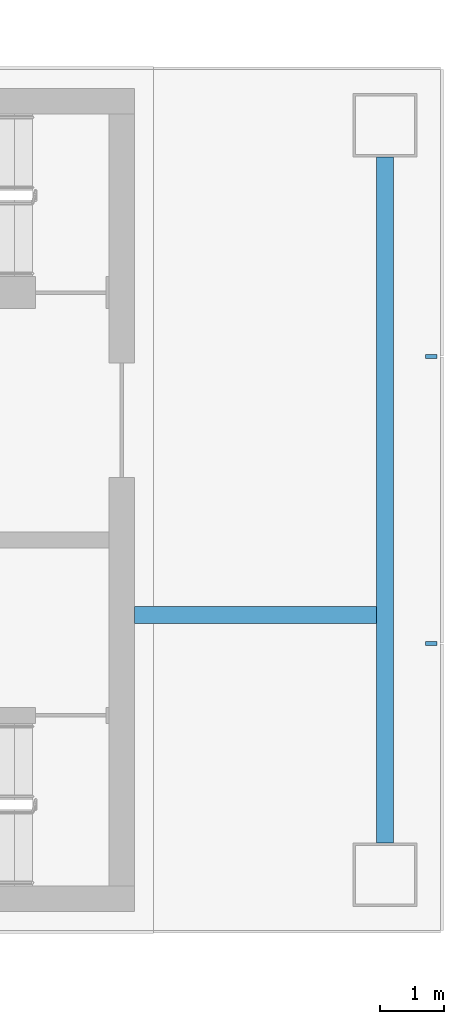
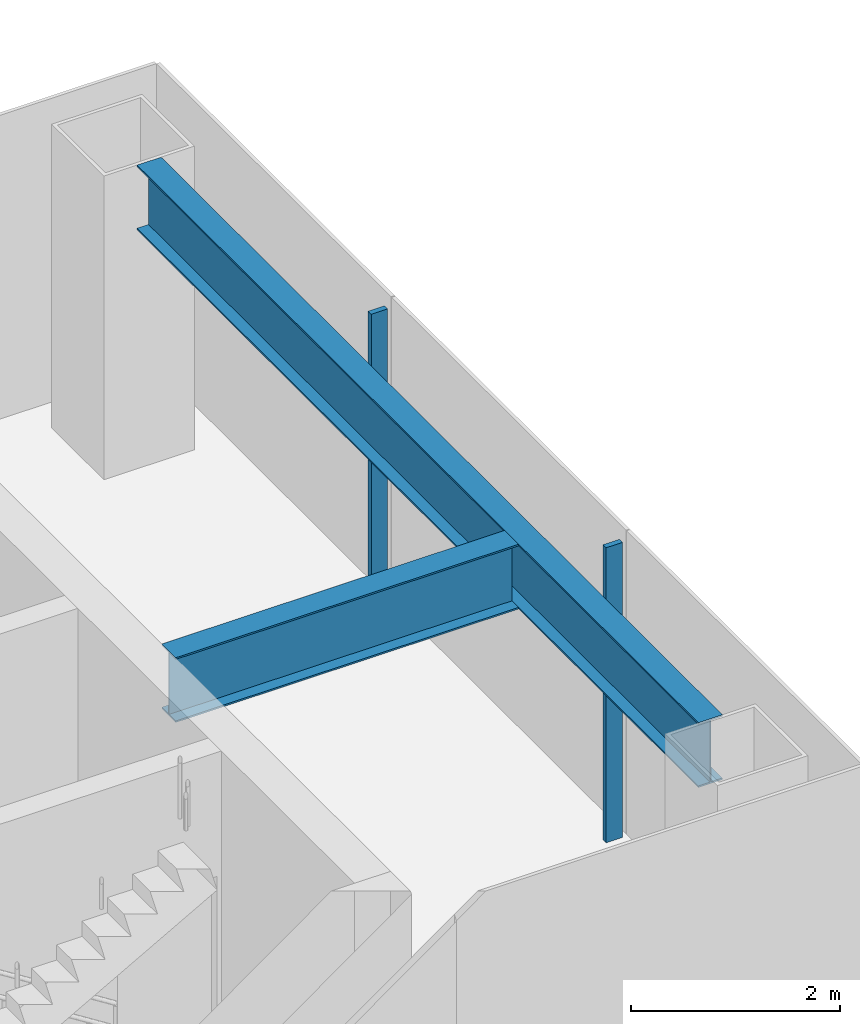
# One storey, part 6 of 16: 2 beams, 2 members, 1 element without a shape of its own.
"""IFC4 building model written with IfcOpenShell, lengths in metres."""

from ifc_helpers import new_model, si_unit, direction, frame, origin, origin_2d, place, context, subcontext, project, spatial, rectangle, i_section, extrude, material, layer, layer_set, material_profile, profile_set, type_object, element, aggregate, save


model = new_model("IFC4")

# Units and contexts
model_context = context("Model", 3, precision=1e-05, world=origin(), true_north=direction((0.0, 1.0)))
body_context = subcontext(model_context, "Body", "Model", "MODEL_VIEW")
ifc_project = project(units=[si_unit("LENGTHUNIT", "METRE"), si_unit("AREAUNIT", "SQUARE_METRE"), si_unit("VOLUMEUNIT", "CUBIC_METRE"), si_unit("PLANEANGLEUNIT", "RADIAN"), si_unit("MASSUNIT", "GRAM", prefix="KILO")], contexts=[model_context])

# Site, building, storey
site_placement = place(None, origin())
site = spatial("IfcSite", under=ifc_project, at=site_placement, CompositionType="ELEMENT")
building_placement = place(site_placement, origin())
building = spatial("IfcBuilding", under=site, at=building_placement, Name="Shamsa Quay Exchange Towers", CompositionType="ELEMENT")
storey_placement = place(building_placement, frame((0.0, 0.0, 182.699951171875)))
storey = spatial("IfcBuildingStorey", under=building, at=storey_placement, Name="L43", CompositionType="ELEMENT", Elevation=182.699951171875)

# Curtain wall, members
ifc_material_1 = material(Name="Aluminium EN AW-6063 T6, black anodised", Category="aluminium")
ifc_layer = layer(ifc_material_1, 0.280029296875)
ifc_layer_set = layer_set([ifc_layer], Name="CW-1 UNITISED VISION GLASS")
curtain_wall_type = type_object("IfcCurtainWallType", Name="CW-1 UNITISED VISION GLASS", PredefinedType="NOTDEFINED", material=ifc_layer_set)
curtain_wall_placement = place(storey_placement, origin())
curtain_wall = element("IfcCurtainWall", 1, at=curtain_wall_placement, inside=storey, type_object=curtain_wall_type, Name="CW1 T2-END-V- L43", PredefinedType="NOTDEFINED")
ifc_material_profile_1 = material_profile(ifc_material_1, rectangle(XDim=0.179931640625, YDim=0.06005859375, at=origin_2d()), Name="MU60x180")
ifc_profile_set_1 = profile_set([ifc_material_profile_1], Name="Aluminium EN AW-6063 T6, black anodised")
member_type = type_object("IfcMemberType", Name="CW1 MULLION 60x180", PredefinedType="MULLION", material=ifc_profile_set_1)
member_1_placement = place(storey_placement, frame((58.35009765625, -2.25, 0.0), z_axis=(0.0, 0.0, 1.0), x_axis=(-1.0, 0.0, 0.0)))
member_1 = element("IfcMember", 2, at=member_1_placement, type_object=member_type, Name="CW1 mullion", PredefinedType="MULLION", context=body_context, shape_type="SweptSolid", body=[
    extrude(rectangle(XDim=0.179931640625, YDim=0.06005859375, at=origin_2d()), origin(), (0.0, 0.0, 1.0), 3.449951171875),
])
member_2_placement = place(storey_placement, frame((58.35009765625, 2.25, 0.0), z_axis=(0.0, 0.0, 1.0), x_axis=(-1.0, 0.0, 0.0)))
member_2 = element("IfcMember", 3, at=member_2_placement, type_object=member_type, Name="CW1 mullion", PredefinedType="MULLION", context=body_context, shape_type="SweptSolid", body=[
    extrude(rectangle(XDim=0.179931640625, YDim=0.06005859375, at=origin_2d()), origin(), (0.0, 0.0, 1.0), 3.449951171875),
])
aggregate(curtain_wall, [member_1, member_2])

# Beams
ifc_material_2 = material(Name="Steel S355", Category="steel")
ifc_material_profile_2 = material_profile(ifc_material_2, i_section(OverallWidth=0.26611328125, OverallDepth=0.7578125, WebThickness=0.013916015625, FlangeThickness=0.019287109375, at=origin_2d()), Name="W30x108")
ifc_profile_set_2 = profile_set([ifc_material_profile_2], Name="Steel S355")
beam_type = type_object("IfcBeamType", Name="End-zone beam W30x108", PredefinedType="BEAM", material=ifc_profile_set_2)
beam_1_placement = place(storey_placement, frame((57.625, -5.375, 3.171142578125), z_axis=(0.0, 1.0, 0.0), x_axis=(-1.0, 0.0, 0.0)))
element("IfcBeam", 4, at=beam_1_placement, inside=storey, type_object=beam_type, Name="End beam T2 V- end zone L43", PredefinedType="BEAM", context=body_context, shape_type="SweptSolid", body=[
    extrude(i_section(OverallWidth=0.26611328125, OverallDepth=0.7578125, WebThickness=0.013916015625, FlangeThickness=0.019287109375, at=origin_2d()), origin(), (0.0, 0.0, 1.0), 10.75),
])
beam_2_placement = place(storey_placement, frame((53.699951171875, -1.800048828125, 3.171142578125), z_axis=(1.0, 0.0, 0.0), x_axis=(0.0, 1.0, 0.0)))
element("IfcBeam", 5, at=beam_2_placement, inside=storey, type_object=beam_type, Name="Spine beam T2 V- end zone L43", PredefinedType="BEAM", context=body_context, shape_type="SweptSolid", body=[
    extrude(i_section(OverallWidth=0.26611328125, OverallDepth=0.7578125, WebThickness=0.013916015625, FlangeThickness=0.019287109375, at=origin_2d()), origin(), (0.0, 0.0, 1.0), 3.7919921875),
])

save(model, "model.ifc")
